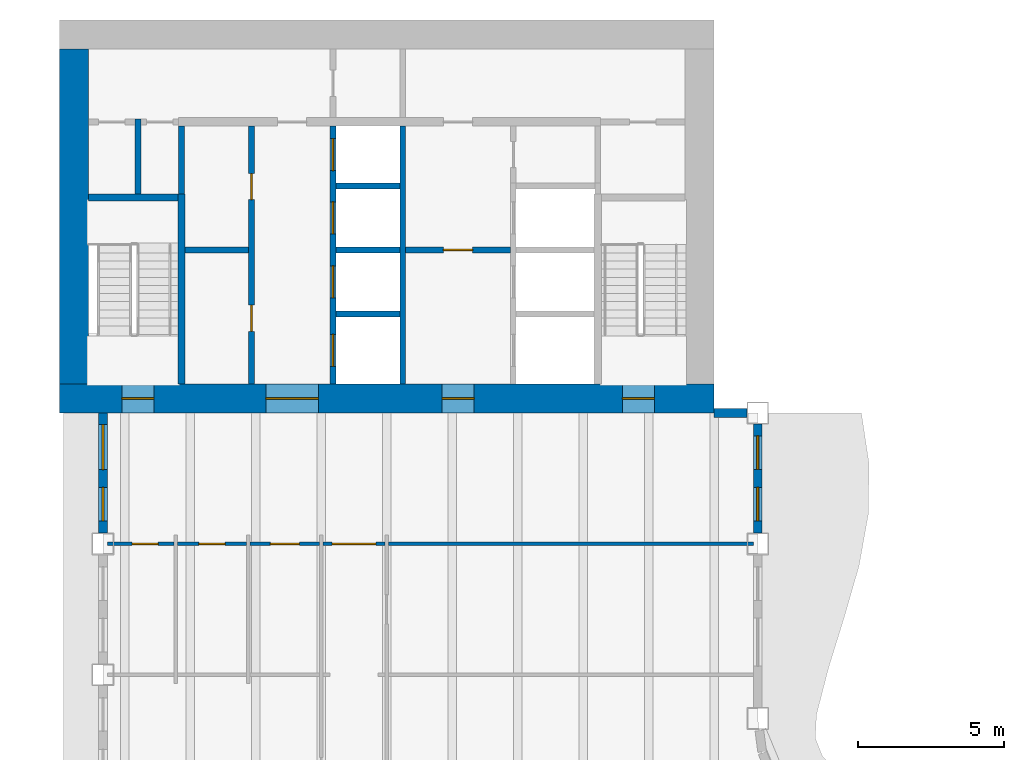
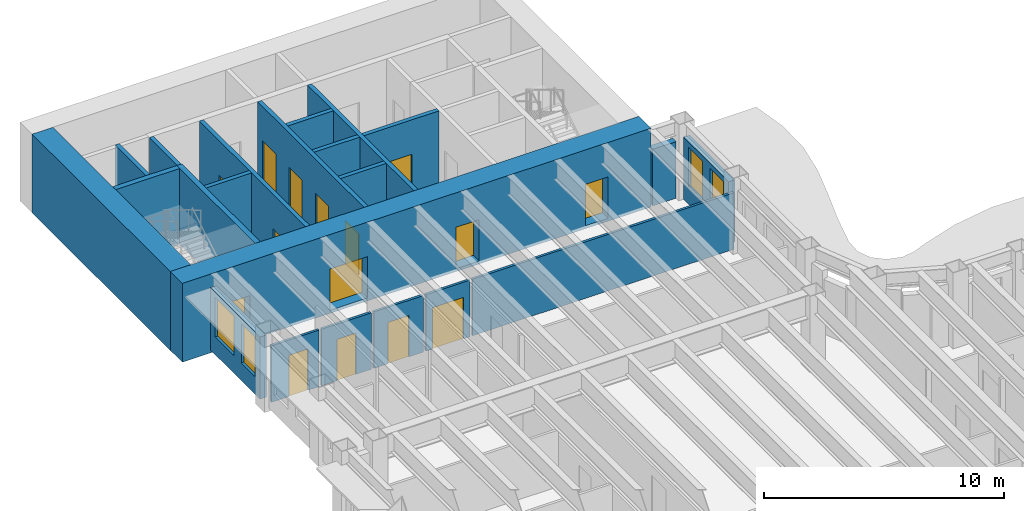
# One storey, part 9 of 17: 22 walls, 15 doors, 4 windows, 19 openings.
"""IFC4 building model written with IfcOpenShell, lengths in metres."""

from ifc_helpers import new_model, si_unit, direction, frame, frame_2d, origin, place, context, subcontext, project, spatial, rectangle, extrude, material, layer, layer_set, type_object, element, fill, save


model = new_model("IFC4")

# Units and contexts
model_context = context("Model", 3, precision=1e-05, world=origin(), true_north=direction((0.0, 1.0)))
body_context = subcontext(model_context, "Body", "Model", "MODEL_VIEW")
ifc_project = project(units=[si_unit("LENGTHUNIT", "METRE"), si_unit("AREAUNIT", "SQUARE_METRE"), si_unit("VOLUMEUNIT", "CUBIC_METRE"), si_unit("PLANEANGLEUNIT", "RADIAN"), si_unit("MASSUNIT", "GRAM", prefix="KILO")], contexts=[model_context])

# Site, building, storey
site_placement = place(None, origin())
site = spatial("IfcSite", under=ifc_project, at=site_placement, CompositionType="ELEMENT")
building_placement = place(site_placement, origin())
building = spatial("IfcBuilding", under=site, at=building_placement, Name="Sennacour Bend Tower", CompositionType="ELEMENT")
storey_placement = place(building_placement, frame((0.0, 0.0, 203.0)))
storey = spatial("IfcBuildingStorey", under=building, at=storey_placement, Name="L46", CompositionType="ELEMENT", Elevation=203.0)

# Wall, openings, doors
ifc_material_1 = material(Name="Concrete C60/75", Category="concrete")
ifc_layer_1 = layer(ifc_material_1, 1.0, Name="Concrete C60/75", Category="concrete")
ifc_layer_set_1 = layer_set([ifc_layer_1], Name="Concrete C60/75")
wall_type_1 = type_object("IfcWallType", Name="Core wall 1000 C60/75", PredefinedType="SHEAR", material=ifc_layer_set_1)
wall_1_placement = place(storey_placement, frame((0.0, 36.5, -0.14990234375), z_axis=(0.0, 0.0, 1.0), x_axis=(1.0, 0.0, 0.0)))
wall_1 = element("IfcWall", 1, at=wall_1_placement, inside=storey, type_object=wall_type_1, Name="Core B wall L46 S", PredefinedType="SHEAR", context=body_context, shape_type="SweptSolid", body=[
    extrude(rectangle(XDim=22.5, YDim=1.0, at=frame_2d((11.25, 0.0))), origin(), (0.0, 0.0, 1.0), 4.0),
])
opening_1_placement = place(wall_1_placement, frame((7.10009765625, 0.0, 0.14990234375)))
opening_1 = element("IfcOpeningElement", 2, at=opening_1_placement, cuts=wall_1, Name="Opening CD", PredefinedType="OPENING", context=body_context, shape_type="SweptSolid", body=[
    extrude(rectangle(XDim=1.800048828125, YDim=2.10009765625, at=frame_2d((0.89990234375, 1.050048828125))), frame((0.0, 0.510009765625, 0.0), z_axis=(0.0, -1.0, 0.0), x_axis=(1.0, 0.0, 0.0)), (0.0, 0.0, 1.0), 1.02001953125),
])
opening_2_placement = place(wall_1_placement, frame((13.14990234375, 0.0, 0.14990234375)))
opening_2 = element("IfcOpeningElement", 3, at=opening_2_placement, cuts=wall_1, Name="Opening FD", PredefinedType="OPENING", context=body_context, shape_type="SweptSolid", body=[
    extrude(rectangle(XDim=1.10009765625, YDim=2.10009765625, at=frame_2d((0.550048828125, 1.050048828125))), frame((0.0, 0.510009765625, 0.0), z_axis=(0.0, -1.0, 0.0), x_axis=(1.0, 0.0, 0.0)), (0.0, 0.0, 1.0), 1.02001953125),
])
opening_3_placement = place(wall_1_placement, frame((2.14990234375, 0.0, 0.14990234375)))
opening_3 = element("IfcOpeningElement", 4, at=opening_3_placement, cuts=wall_1, Name="Opening SD", PredefinedType="OPENING", context=body_context, shape_type="SweptSolid", body=[
    extrude(rectangle(XDim=1.10009765625, YDim=2.10009765625, at=frame_2d((0.550048828125, 1.050048828125))), frame((0.0, 0.510009765625, 0.0), z_axis=(0.0, -1.0, 0.0), x_axis=(1.0, 0.0, 0.0)), (0.0, 0.0, 1.0), 1.02001953125),
])
opening_4_placement = place(wall_1_placement, frame((19.35009765625, 0.0, 0.14990234375)))
opening_4 = element("IfcOpeningElement", 5, at=opening_4_placement, cuts=wall_1, Name="Opening SD", PredefinedType="OPENING", context=body_context, shape_type="SweptSolid", body=[
    extrude(rectangle(XDim=1.10009765625, YDim=2.10009765625, at=frame_2d((0.550048828125, 1.050048828125))), frame((0.0, 0.510009765625, 0.0), z_axis=(0.0, -1.0, 0.0), x_axis=(1.0, 0.0, 0.0)), (0.0, 0.0, 1.0), 1.02001953125),
])
ifc_material_2 = material(Name="Painted steel", Category="steel")
door_type_1 = type_object("IfcDoorType", Name="DR-FFL-1100", OperationType="NOTDEFINED", PredefinedType="DOOR", material=ifc_material_2)
door_1_placement = place(opening_2_placement, origin())
door_1 = element("IfcDoor", 6, at=door_1_placement, inside=storey, type_object=door_type_1, Name="Door", OperationType="SINGLE_SWING_RIGHT", OverallHeight=2.10009765625, OverallWidth=1.10009765625, PredefinedType="DOOR", context=body_context, shape_type="SweptSolid", body=[
    extrude(rectangle(XDim=1.10009765625, YDim=2.10009765625, at=frame_2d((0.550048828125, 1.050048828125))), frame((0.0, 0.02490234375, 0.0), z_axis=(0.0, -1.0, 0.0), x_axis=(1.0, 0.0, 0.0)), (0.0, 0.0, 1.0), 0.050048828125),
])
fill(opening_2, door_1)
door_type_2 = type_object("IfcDoorType", Name="DR-LOBBY-1800", OperationType="NOTDEFINED", PredefinedType="DOOR", material=ifc_material_2)
door_2_placement = place(opening_1_placement, origin())
door_2 = element("IfcDoor", 7, at=door_2_placement, inside=storey, type_object=door_type_2, Name="Door", OperationType="DOUBLE_DOOR_SINGLE_SWING", OverallHeight=2.10009765625, OverallWidth=1.800048828125, PredefinedType="DOOR", context=body_context, shape_type="SweptSolid", body=[
    extrude(rectangle(XDim=1.800048828125, YDim=2.10009765625, at=frame_2d((0.89990234375, 1.050048828125))), frame((0.0, 0.02490234375, 0.0), z_axis=(0.0, -1.0, 0.0), x_axis=(1.0, 0.0, 0.0)), (0.0, 0.0, 1.0), 0.050048828125),
])
fill(opening_1, door_2)
door_type_3 = type_object("IfcDoorType", Name="DR-STAIR-1100", OperationType="NOTDEFINED", PredefinedType="DOOR", material=ifc_material_2)
door_3_placement = place(opening_3_placement, origin())
door_3 = element("IfcDoor", 8, at=door_3_placement, inside=storey, type_object=door_type_3, Name="Door", OperationType="SINGLE_SWING_LEFT", OverallHeight=2.10009765625, OverallWidth=1.10009765625, PredefinedType="DOOR", context=body_context, shape_type="SweptSolid", body=[
    extrude(rectangle(XDim=1.10009765625, YDim=2.10009765625, at=frame_2d((0.550048828125, 1.050048828125))), frame((0.0, 0.02490234375, 0.0), z_axis=(0.0, -1.0, 0.0), x_axis=(1.0, 0.0, 0.0)), (0.0, 0.0, 1.0), 0.050048828125),
])
fill(opening_3, door_3)
door_4_placement = place(opening_4_placement, origin())
door_4 = element("IfcDoor", 9, at=door_4_placement, inside=storey, type_object=door_type_3, Name="Door", OperationType="SINGLE_SWING_RIGHT", OverallHeight=2.10009765625, OverallWidth=1.10009765625, PredefinedType="DOOR", context=body_context, shape_type="SweptSolid", body=[
    extrude(rectangle(XDim=1.10009765625, YDim=2.10009765625, at=frame_2d((0.550048828125, 1.050048828125))), frame((0.0, 0.02490234375, 0.0), z_axis=(0.0, -1.0, 0.0), x_axis=(1.0, 0.0, 0.0)), (0.0, 0.0, 1.0), 0.050048828125),
])
fill(opening_4, door_4)

# Wall
wall_2_placement = place(storey_placement, frame((0.5, 37.0, -0.14990234375), z_axis=(0.0, 0.0, 1.0), x_axis=(0.0, 1.0, 0.0)))
element("IfcWall", 10, at=wall_2_placement, inside=storey, type_object=wall_type_1, Name="Core B wall L46 W", PredefinedType="SHEAR", context=body_context, shape_type="SweptSolid", body=[
    extrude(rectangle(XDim=11.5, YDim=1.0, at=frame_2d((5.75, 0.0))), origin(), (0.0, 0.0, 1.0), 4.0),
])

# Wall, opening, door
ifc_material_3 = material(Name="Plasterboard partition on steel studs", Category="steel")
ifc_layer_2 = layer(ifc_material_3, 0.1201171875, Name="Plasterboard partition on steel studs", Category="steel")
ifc_layer_set_2 = layer_set([ifc_layer_2], Name="Plasterboard partition on steel studs")
wall_type_2 = type_object("IfcWallType", Name="Partition 120", PredefinedType="PARTITIONING", material=ifc_layer_set_2)
wall_3_placement = place(storey_placement, frame((1.64990234375, 31.5, 0.0), z_axis=(0.0, 0.0, 1.0), x_axis=(1.0, 0.0, 0.0)))
wall_3 = element("IfcWall", 11, at=wall_3_placement, inside=storey, type_object=wall_type_2, Name="P-L46-W086aa", PredefinedType="PARTITIONING", context=body_context, shape_type="SweptSolid", body=[
    extrude(rectangle(XDim=2.2900390625, YDim=0.1201171875, at=frame_2d((1.14501953125, 0.0))), origin(), (0.0, 0.0, 1.0), 2.8701171875),
])
opening_5_placement = place(wall_3_placement, frame((0.85009765625, 0.0, 0.0)))
opening_5 = element("IfcOpeningElement", 12, at=opening_5_placement, cuts=wall_3, Name="Opening WD", PredefinedType="OPENING", context=body_context, shape_type="SweptSolid", body=[
    extrude(rectangle(XDim=0.89990234375, YDim=2.10009765625, at=frame_2d((0.449951171875, 1.050048828125))), frame((0.0, 0.070068359375, 0.0), z_axis=(0.0, -1.0, 0.0), x_axis=(1.0, 0.0, 0.0)), (0.0, 0.0, 1.0), 0.14013671875),
])
ifc_material_4 = material(Name="Timber", Category="wood")
door_type_4 = type_object("IfcDoorType", Name="DR-WC-900", OperationType="NOTDEFINED", PredefinedType="DOOR", material=ifc_material_4)
door_5_placement = place(opening_5_placement, origin())
door_5 = element("IfcDoor", 13, at=door_5_placement, inside=storey, type_object=door_type_4, Name="Door", OperationType="SINGLE_SWING_RIGHT", OverallHeight=2.10009765625, OverallWidth=0.89990234375, PredefinedType="DOOR", context=body_context, shape_type="SweptSolid", body=[
    extrude(rectangle(XDim=0.89990234375, YDim=2.10009765625, at=frame_2d((0.449951171875, 1.050048828125))), frame((0.0, 0.02490234375, 0.0), z_axis=(0.0, -1.0, 0.0), x_axis=(1.0, 0.0, 0.0)), (0.0, 0.0, 1.0), 0.050048828125),
])
fill(opening_5, door_5)

wall_4_placement = place(storey_placement, frame((4.06005859375, 31.5, 0.0), z_axis=(0.0, 0.0, 1.0), x_axis=(1.0, 0.0, 0.0)))
wall_4 = element("IfcWall", 14, at=wall_4_placement, inside=storey, type_object=wall_type_2, Name="P-L46-W086ab", PredefinedType="PARTITIONING", context=body_context, shape_type="SweptSolid", body=[
    extrude(rectangle(XDim=2.3798828125, YDim=0.1201171875, at=frame_2d((1.18994140625, 0.0))), origin(), (0.0, 0.0, 1.0), 2.8701171875),
])
opening_6_placement = place(wall_4_placement, frame((0.739990234375, 0.0, 0.0)))
opening_6 = element("IfcOpeningElement", 15, at=opening_6_placement, cuts=wall_4, Name="Opening WD", PredefinedType="OPENING", context=body_context, shape_type="SweptSolid", body=[
    extrude(rectangle(XDim=0.89990234375, YDim=2.10009765625, at=frame_2d((0.449951171875, 1.050048828125))), frame((0.0, 0.070068359375, 0.0), z_axis=(0.0, -1.0, 0.0), x_axis=(1.0, 0.0, 0.0)), (0.0, 0.0, 1.0), 0.14013671875),
])
door_6_placement = place(opening_6_placement, origin())
door_6 = element("IfcDoor", 16, at=door_6_placement, inside=storey, type_object=door_type_4, Name="Door", OperationType="SINGLE_SWING_LEFT", OverallHeight=2.10009765625, OverallWidth=0.89990234375, PredefinedType="DOOR", context=body_context, shape_type="SweptSolid", body=[
    extrude(rectangle(XDim=0.89990234375, YDim=2.10009765625, at=frame_2d((0.449951171875, 1.050048828125))), frame((0.0, 0.02490234375, 0.0), z_axis=(0.0, -1.0, 0.0), x_axis=(1.0, 0.0, 0.0)), (0.0, 0.0, 1.0), 0.050048828125),
])
fill(opening_6, door_6)

wall_5_placement = place(storey_placement, frame((6.56005859375, 31.5, 0.0), z_axis=(0.0, 0.0, 1.0), x_axis=(1.0, 0.0, 0.0)))
wall_5 = element("IfcWall", 17, at=wall_5_placement, inside=storey, type_object=wall_type_2, Name="P-L46-W086ac", PredefinedType="PARTITIONING", context=body_context, shape_type="SweptSolid", body=[
    extrude(rectangle(XDim=2.3798828125, YDim=0.1201171875, at=frame_2d((1.18994140625, 0.0))), origin(), (0.0, 0.0, 1.0), 2.8701171875),
])
opening_7_placement = place(wall_5_placement, frame((0.68994140625, 0.0, 0.0)))
opening_7 = element("IfcOpeningElement", 18, at=opening_7_placement, cuts=wall_5, Name="Opening AD", PredefinedType="OPENING", context=body_context, shape_type="SweptSolid", body=[
    extrude(rectangle(XDim=1.0, YDim=2.10009765625, at=frame_2d((0.5, 1.050048828125))), frame((0.0, 0.070068359375, 0.0), z_axis=(0.0, -1.0, 0.0), x_axis=(1.0, 0.0, 0.0)), (0.0, 0.0, 1.0), 0.14013671875),
])
door_type_5 = type_object("IfcDoorType", Name="DR-ACC-WC-1000", OperationType="NOTDEFINED", PredefinedType="DOOR", material=ifc_material_4)
door_7_placement = place(opening_7_placement, origin())
door_7 = element("IfcDoor", 19, at=door_7_placement, inside=storey, type_object=door_type_5, Name="Door", OperationType="SINGLE_SWING_LEFT", OverallHeight=2.10009765625, OverallWidth=1.0, PredefinedType="DOOR", context=body_context, shape_type="SweptSolid", body=[
    extrude(rectangle(XDim=1.0, YDim=2.10009765625, at=frame_2d((0.5, 1.050048828125))), frame((0.0, 0.02490234375, 0.0), z_axis=(0.0, -1.0, 0.0), x_axis=(1.0, 0.0, 0.0)), (0.0, 0.0, 1.0), 0.050048828125),
])
fill(opening_7, door_7)

# Wall
wall_6_placement = place(storey_placement, frame((11.31005859375, 31.5, 0.0), z_axis=(0.0, 0.0, 1.0), x_axis=(1.0, 0.0, 0.0)))
element("IfcWall", 20, at=wall_6_placement, inside=storey, type_object=wall_type_2, Name="P-L46-W086ae", PredefinedType="PARTITIONING", context=body_context, shape_type="SweptSolid", body=[
    extrude(rectangle(XDim=12.5400390625, YDim=0.1201171875, at=frame_2d((6.27001953125, 0.0))), origin(), (0.0, 0.0, 1.0), 2.8701171875),
])

# Wall, opening, door
ifc_layer_3 = layer(ifc_material_3, 0.1201171875, Name="Plasterboard partition on steel studs", Category="steel")
ifc_layer_set_3 = layer_set([ifc_layer_3], Name="Plasterboard partition on steel studs")
wall_type_3 = type_object("IfcWallType", Name="Partition 120 EI 30", PredefinedType="PARTITIONING", material=ifc_layer_set_3)
wall_7_placement = place(storey_placement, frame((9.06005859375, 31.5, 0.0), z_axis=(0.0, 0.0, 1.0), x_axis=(1.0, 0.0, 0.0)))
wall_7 = element("IfcWall", 21, at=wall_7_placement, inside=storey, type_object=wall_type_3, Name="P-L46-W086ad", PredefinedType="PARTITIONING", context=body_context, shape_type="SweptSolid", body=[
    extrude(rectangle(XDim=2.1298828125, YDim=0.1201171875, at=frame_2d((1.06494140625, 0.0))), origin(), (0.0, 0.0, 1.0), 2.8701171875),
])
opening_8_placement = place(wall_7_placement, frame((0.31494140625, 0.0, 0.0)))
opening_8 = element("IfcOpeningElement", 22, at=opening_8_placement, cuts=wall_7, Name="Opening KD", PredefinedType="OPENING", context=body_context, shape_type="SweptSolid", body=[
    extrude(rectangle(XDim=1.5, YDim=2.10009765625, at=frame_2d((0.75, 1.050048828125))), frame((0.0, 0.070068359375, 0.0), z_axis=(0.0, -1.0, 0.0), x_axis=(1.0, 0.0, 0.0)), (0.0, 0.0, 1.0), 0.14013671875),
])
door_type_6 = type_object("IfcDoorType", Name="DR-CORRIDOR-1500", OperationType="NOTDEFINED", PredefinedType="DOOR", material=ifc_material_2)
door_8_placement = place(opening_8_placement, origin())
door_8 = element("IfcDoor", 23, at=door_8_placement, inside=storey, type_object=door_type_6, Name="Door", OperationType="SINGLE_SWING_LEFT", OverallHeight=2.10009765625, OverallWidth=1.5, PredefinedType="DOOR", context=body_context, shape_type="SweptSolid", body=[
    extrude(rectangle(XDim=1.5, YDim=2.10009765625, at=frame_2d((0.75, 1.050048828125))), frame((0.0, 0.02490234375, 0.0), z_axis=(0.0, -1.0, 0.0), x_axis=(1.0, 0.0, 0.0)), (0.0, 0.0, 1.0), 0.050048828125),
])
fill(opening_8, door_8)

# Walls
ifc_material_5 = material(Name="Fire-rated plasterboard partition on steel studs", Category="steel")
ifc_layer_4 = layer(ifc_material_5, 0.199951171875, Name="Fire-rated plasterboard partition on steel studs", Category="steel")
ifc_layer_set_4 = layer_set([ifc_layer_4], Name="Fire-rated plasterboard partition on steel studs")
wall_type_4 = type_object("IfcWallType", Name="Rated partition 200", PredefinedType="PARTITIONING", material=ifc_layer_set_4)
wall_8_placement = place(storey_placement, frame((2.699951171875, 43.52490234375, 0.0), z_axis=(0.0, 0.0, 1.0), x_axis=(0.0, 1.0, 0.0)))
element("IfcWall", 24, at=wall_8_placement, inside=storey, type_object=wall_type_4, Name="P-L46-W004", PredefinedType="PARTITIONING", context=body_context, shape_type="SweptSolid", body=[
    extrude(rectangle(XDim=2.5751953125, YDim=0.199951171875, at=frame_2d((1.28759765625, 0.0))), origin(), (0.0, 0.0, 1.0), 3.85009765625),
])
wall_9_placement = place(storey_placement, frame((4.199951171875, 43.52490234375, 0.0), z_axis=(0.0, 0.0, 1.0), x_axis=(0.0, 1.0, 0.0)))
element("IfcWall", 25, at=wall_9_placement, inside=storey, type_object=wall_type_4, Name="P-L46-W007", PredefinedType="PARTITIONING", context=body_context, shape_type="SweptSolid", body=[
    extrude(rectangle(XDim=2.3251953125, YDim=0.199951171875, at=frame_2d((1.16259765625, 0.0))), origin(), (0.0, 0.0, 1.0), 3.85009765625),
])

# Wall, openings, doors
wall_10_placement = place(storey_placement, frame((6.60009765625, 37.0, 0.0), z_axis=(0.0, 0.0, 1.0), x_axis=(0.0, 1.0, 0.0)))
wall_10 = element("IfcWall", 26, at=wall_10_placement, inside=storey, type_object=wall_type_4, Name="P-L46-W009", PredefinedType="PARTITIONING", context=body_context, shape_type="SweptSolid", body=[
    extrude(rectangle(XDim=8.85009765625, YDim=0.199951171875, at=frame_2d((4.425048828125, 0.0))), origin(), (0.0, 0.0, 1.0), 3.85009765625),
])
opening_9_placement = place(wall_10_placement, frame((1.800048828125, 0.0, 0.0)))
opening_9 = element("IfcOpeningElement", 27, at=opening_9_placement, cuts=wall_10, Name="Opening SV", PredefinedType="OPENING", context=body_context, shape_type="SweptSolid", body=[
    extrude(rectangle(XDim=0.89990234375, YDim=2.10009765625, at=frame_2d((0.449951171875, 1.050048828125))), frame((0.0, 0.10986328125, 0.0), z_axis=(0.0, -1.0, 0.0), x_axis=(1.0, 0.0, 0.0)), (0.0, 0.0, 1.0), 0.219970703125),
])
opening_10_placement = place(wall_10_placement, frame((6.324951171875, 0.0, 0.0)))
opening_10 = element("IfcOpeningElement", 28, at=opening_10_placement, cuts=wall_10, Name="Opening SV", PredefinedType="OPENING", context=body_context, shape_type="SweptSolid", body=[
    extrude(rectangle(XDim=0.89990234375, YDim=2.10009765625, at=frame_2d((0.449951171875, 1.050048828125))), frame((0.0, 0.10986328125, 0.0), z_axis=(0.0, -1.0, 0.0), x_axis=(1.0, 0.0, 0.0)), (0.0, 0.0, 1.0), 0.219970703125),
])
door_type_7 = type_object("IfcDoorType", Name="DR-SERVICE-900", OperationType="NOTDEFINED", PredefinedType="DOOR", material=ifc_material_2)
door_9_placement = place(opening_9_placement, origin())
door_9 = element("IfcDoor", 29, at=door_9_placement, inside=storey, type_object=door_type_7, Name="Door", OperationType="SINGLE_SWING_LEFT", OverallHeight=2.10009765625, OverallWidth=0.89990234375, PredefinedType="DOOR", context=body_context, shape_type="SweptSolid", body=[
    extrude(rectangle(XDim=0.89990234375, YDim=2.10009765625, at=frame_2d((0.449951171875, 1.050048828125))), frame((0.0, 0.02490234375, 0.0), z_axis=(0.0, -1.0, 0.0), x_axis=(1.0, 0.0, 0.0)), (0.0, 0.0, 1.0), 0.050048828125),
])
fill(opening_9, door_9)
door_10_placement = place(opening_10_placement, origin())
door_10 = element("IfcDoor", 30, at=door_10_placement, inside=storey, type_object=door_type_7, Name="Door", OperationType="SINGLE_SWING_RIGHT", OverallHeight=2.10009765625, OverallWidth=0.89990234375, PredefinedType="DOOR", context=body_context, shape_type="SweptSolid", body=[
    extrude(rectangle(XDim=0.89990234375, YDim=2.10009765625, at=frame_2d((0.449951171875, 1.050048828125))), frame((0.0, 0.02490234375, 0.0), z_axis=(0.0, -1.0, 0.0), x_axis=(1.0, 0.0, 0.0)), (0.0, 0.0, 1.0), 0.050048828125),
])
fill(opening_10, door_10)

# Wall
wall_11_placement = place(storey_placement, frame((4.324951171875, 41.60009765625, 0.0), z_axis=(0.0, 0.0, 1.0), x_axis=(1.0, 0.0, 0.0)))
element("IfcWall", 31, at=wall_11_placement, inside=storey, type_object=wall_type_4, Name="P-L46-W090", PredefinedType="PARTITIONING", context=body_context, shape_type="SweptSolid", body=[
    extrude(rectangle(XDim=2.175048828125, YDim=0.199951171875, at=frame_2d((1.08740234375, 0.0))), origin(), (0.0, 0.0, 1.0), 3.85009765625),
])

# Wall, opening, door
ifc_layer_5 = layer(ifc_material_5, 0.199951171875, Name="Fire-rated plasterboard partition on steel studs", Category="steel")
ifc_layer_set_5 = layer_set([ifc_layer_5], Name="Fire-rated plasterboard partition on steel studs")
wall_type_5 = type_object("IfcWallType", Name="Rated partition 200 EI 90", PredefinedType="PARTITIONING", material=ifc_layer_set_5)
wall_12_placement = place(storey_placement, frame((11.89990234375, 41.60009765625, 0.0), z_axis=(0.0, 0.0, 1.0), x_axis=(1.0, 0.0, 0.0)))
wall_12 = element("IfcWall", 32, at=wall_12_placement, inside=storey, type_object=wall_type_5, Name="P-L46-W092", PredefinedType="PARTITIONING", context=body_context, shape_type="SweptSolid", body=[
    extrude(rectangle(XDim=3.60009765625, YDim=0.199951171875, at=frame_2d((1.800048828125, 0.0))), origin(), (0.0, 0.0, 1.0), 3.85009765625),
])
opening_11_placement = place(wall_12_placement, frame((1.300048828125, 0.0, 0.0)))
opening_11 = element("IfcOpeningElement", 33, at=opening_11_placement, cuts=wall_12, Name="Opening FD2", PredefinedType="OPENING", context=body_context, shape_type="SweptSolid", body=[
    extrude(rectangle(XDim=1.0, YDim=2.10009765625, at=frame_2d((0.5, 1.050048828125))), frame((0.0, 0.10986328125, 0.0), z_axis=(0.0, -1.0, 0.0), x_axis=(1.0, 0.0, 0.0)), (0.0, 0.0, 1.0), 0.219970703125),
])
door_type_8 = type_object("IfcDoorType", Name="DR-FFL-1000", OperationType="NOTDEFINED", PredefinedType="DOOR", material=ifc_material_2)
door_11_placement = place(opening_11_placement, origin())
door_11 = element("IfcDoor", 34, at=door_11_placement, inside=storey, type_object=door_type_8, Name="Door", OperationType="SINGLE_SWING_RIGHT", OverallHeight=2.10009765625, OverallWidth=1.0, PredefinedType="DOOR", context=body_context, shape_type="SweptSolid", body=[
    extrude(rectangle(XDim=1.0, YDim=2.10009765625, at=frame_2d((0.5, 1.050048828125))), frame((0.0, 0.02490234375, 0.0), z_axis=(0.0, -1.0, 0.0), x_axis=(1.0, 0.0, 0.0)), (0.0, 0.0, 1.0), 0.050048828125),
])
fill(opening_11, door_11)

# Wall, openings, windows
ifc_material_6 = material(Name="Warm limestone cladding", Category="masonry")
ifc_layer_6 = layer(ifc_material_6, 0.050048828125, Name="Warm limestone cladding", Category="masonry")
ifc_material_7 = material(Name="Precast concrete C40/50", Category="concrete")
ifc_layer_7 = layer(ifc_material_7, 0.25, Name="Precast concrete C40/50", Category="concrete")
ifc_layer_set_6 = layer_set([ifc_layer_6, ifc_layer_7], Name="Precast concrete C40/50 with limestone cladding")
wall_type_6 = type_object("IfcWallType", Name="STONE-CLAD PRECAST SPANDREL 300", PredefinedType="STANDARD", material=ifc_layer_set_6)
wall_13_placement = place(storey_placement, frame((24.0, 31.875, 0.0), z_axis=(0.0, 0.0, 1.0), x_axis=(0.0, 1.0, 0.0)))
wall_13 = element("IfcWall", 35, at=wall_13_placement, inside=storey, type_object=wall_type_6, Name="Stone spandrel and pier wall L46 13.01", PredefinedType="STANDARD", context=body_context, shape_type="SweptSolid", body=[
    extrude(rectangle(XDim=3.75, YDim=0.300048828125, at=frame_2d((1.875, 0.0))), origin(), (0.0, 0.0, 1.0), 3.156982421875),
])
opening_12_placement = place(wall_13_placement, frame((0.41259765625, 0.0, 0.89990234375)))
opening_12 = element("IfcOpeningElement", 36, at=opening_12_placement, cuts=wall_13, Name="Opening W24", PredefinedType="OPENING", context=body_context, shape_type="SweptSolid", body=[
    extrude(rectangle(XDim=1.14990234375, YDim=2.0, at=frame_2d((0.574951171875, 1.0))), frame((0.0, 0.16015625, 0.0), z_axis=(0.0, -1.0, 0.0), x_axis=(1.0, 0.0, 0.0)), (0.0, 0.0, 1.0), 0.320068359375),
])
opening_13_placement = place(wall_13_placement, frame((2.1875, 0.0, 0.89990234375)))
opening_13 = element("IfcOpeningElement", 37, at=opening_13_placement, cuts=wall_13, Name="Opening W24", PredefinedType="OPENING", context=body_context, shape_type="SweptSolid", body=[
    extrude(rectangle(XDim=1.14990234375, YDim=2.0, at=frame_2d((0.574951171875, 1.0))), frame((0.0, 0.16015625, 0.0), z_axis=(0.0, -1.0, 0.0), x_axis=(1.0, 0.0, 0.0)), (0.0, 0.0, 1.0), 0.320068359375),
])
ifc_material_8 = material(Name="Clear low-emissivity glass", Category="glass")
window_type_1 = type_object("IfcWindowType", Name="WIN-RIBBON-1150x2000", PartitioningType="SINGLE_PANEL", PredefinedType="WINDOW", material=ifc_material_8)
window_1_placement = place(opening_12_placement, origin())
window_1 = element("IfcWindow", 38, at=window_1_placement, inside=storey, type_object=window_type_1, Name="Ribbon window L46 13.01.0", OverallHeight=2.0, OverallWidth=1.14990234375, PartitioningType="SINGLE_PANEL", PredefinedType="WINDOW", context=body_context, shape_type="SweptSolid", body=[
    extrude(rectangle(XDim=1.14990234375, YDim=2.0, at=frame_2d((0.574951171875, 1.0))), frame((0.0, 0.030029296875, 0.0), z_axis=(0.0, -1.0, 0.0), x_axis=(1.0, 0.0, 0.0)), (0.0, 0.0, 1.0), 0.06005859375),
])
fill(opening_12, window_1)
window_2_placement = place(opening_13_placement, origin())
window_2 = element("IfcWindow", 39, at=window_2_placement, inside=storey, type_object=window_type_1, Name="Ribbon window L46 13.01.1", OverallHeight=2.0, OverallWidth=1.14990234375, PartitioningType="SINGLE_PANEL", PredefinedType="WINDOW", context=body_context, shape_type="SweptSolid", body=[
    extrude(rectangle(XDim=1.14990234375, YDim=2.0, at=frame_2d((0.574951171875, 1.0))), frame((0.0, 0.030029296875, 0.0), z_axis=(0.0, -1.0, 0.0), x_axis=(1.0, 0.0, 0.0)), (0.0, 0.0, 1.0), 0.06005859375),
])
fill(opening_13, window_2)

# Wall
wall_14_placement = place(storey_placement, frame((23.625, 36.0, 0.0), z_axis=(0.0, 0.0, 1.0), x_axis=(-1.0, 0.0, 0.0)))
element("IfcWall", 40, at=wall_14_placement, inside=storey, type_object=wall_type_6, Name="Stone spandrel and pier wall L46 14.00", PredefinedType="STANDARD", context=body_context, shape_type="SweptSolid", body=[
    extrude(rectangle(XDim=1.125, YDim=0.300048828125, at=frame_2d((0.5625, 0.0))), origin(), (0.0, 0.0, 1.0), 2.8701171875),
])

# Wall, openings, windows
wall_15_placement = place(storey_placement, frame((1.5, 36.0, 0.0), z_axis=(0.0, 0.0, 1.0), x_axis=(0.0, -1.0, 0.0)))
wall_15 = element("IfcWall", 41, at=wall_15_placement, inside=storey, type_object=wall_type_6, Name="Stone spandrel and pier wall L46 19.00", PredefinedType="STANDARD", context=body_context, shape_type="SweptSolid", body=[
    extrude(rectangle(XDim=4.125, YDim=0.300048828125, at=frame_2d((2.0625, 0.0))), origin(), (0.0, 0.0, 1.0), 3.156982421875),
])
opening_14_placement = place(wall_15_placement, frame((0.39990234375, 0.0, 0.89990234375)))
opening_14 = element("IfcOpeningElement", 42, at=opening_14_placement, cuts=wall_15, Name="Opening W9", PredefinedType="OPENING", context=body_context, shape_type="SweptSolid", body=[
    extrude(rectangle(XDim=1.550048828125, YDim=2.0, at=frame_2d((0.77490234375, 1.0))), frame((0.0, 0.16015625, 0.0), z_axis=(0.0, -1.0, 0.0), x_axis=(1.0, 0.0, 0.0)), (0.0, 0.0, 1.0), 0.320068359375),
])
opening_15_placement = place(wall_15_placement, frame((2.5625, 0.0, 0.89990234375)))
opening_15 = element("IfcOpeningElement", 43, at=opening_15_placement, cuts=wall_15, Name="Opening W24", PredefinedType="OPENING", context=body_context, shape_type="SweptSolid", body=[
    extrude(rectangle(XDim=1.14990234375, YDim=2.0, at=frame_2d((0.574951171875, 1.0))), frame((0.0, 0.16015625, 0.0), z_axis=(0.0, -1.0, 0.0), x_axis=(1.0, 0.0, 0.0)), (0.0, 0.0, 1.0), 0.320068359375),
])
window_3_placement = place(opening_15_placement, origin())
window_3 = element("IfcWindow", 44, at=window_3_placement, inside=storey, type_object=window_type_1, Name="Ribbon window L46 19.00.1", OverallHeight=2.0, OverallWidth=1.14990234375, PartitioningType="SINGLE_PANEL", PredefinedType="WINDOW", context=body_context, shape_type="SweptSolid", body=[
    extrude(rectangle(XDim=1.14990234375, YDim=2.0, at=frame_2d((0.574951171875, 1.0))), frame((0.0, 0.030029296875, 0.0), z_axis=(0.0, -1.0, 0.0), x_axis=(1.0, 0.0, 0.0)), (0.0, 0.0, 1.0), 0.06005859375),
])
fill(opening_15, window_3)
window_type_2 = type_object("IfcWindowType", Name="WIN-RIBBON-1550x2000", PartitioningType="SINGLE_PANEL", PredefinedType="WINDOW", material=ifc_material_8)
window_4_placement = place(opening_14_placement, origin())
window_4 = element("IfcWindow", 45, at=window_4_placement, inside=storey, type_object=window_type_2, Name="Ribbon window L46 19.00.0", OverallHeight=2.0, OverallWidth=1.550048828125, PartitioningType="SINGLE_PANEL", PredefinedType="WINDOW", context=body_context, shape_type="SweptSolid", body=[
    extrude(rectangle(XDim=1.550048828125, YDim=2.0, at=frame_2d((0.77490234375, 1.0))), frame((0.0, 0.030029296875, 0.0), z_axis=(0.0, -1.0, 0.0), x_axis=(1.0, 0.0, 0.0)), (0.0, 0.0, 1.0), 0.06005859375),
])
fill(opening_14, window_4)

# Wall, openings, doors
ifc_material_9 = material(Name="Concrete C50/60", Category="concrete")
ifc_layer_8 = layer(ifc_material_9, 0.199951171875, Name="Concrete C50/60", Category="concrete")
ifc_layer_set_7 = layer_set([ifc_layer_8], Name="Concrete C50/60")
wall_type_7 = type_object("IfcWallType", Name="Shaft wall 200", PredefinedType="SOLIDWALL", material=ifc_layer_set_7)
wall_16_placement = place(storey_placement, frame((9.39990234375, 37.0, 0.0), z_axis=(0.0, 0.0, 1.0), x_axis=(0.0, 1.0, 0.0)))
wall_16 = element("IfcWall", 46, at=wall_16_placement, inside=storey, type_object=wall_type_7, Name="P-L46-W014", PredefinedType="SOLIDWALL", context=body_context, shape_type="SweptSolid", body=[
    extrude(rectangle(XDim=8.85009765625, YDim=0.199951171875, at=frame_2d((4.425048828125, 0.0))), origin(), (0.0, 0.0, 1.0), 3.85009765625),
])
opening_16_placement = place(wall_16_placement, frame((0.60009765625, 0.0, 0.011962890625)))
opening_16 = element("IfcOpeningElement", 47, at=opening_16_placement, cuts=wall_16, Name="Opening LD", PredefinedType="OPENING", context=body_context, shape_type="SweptSolid", body=[
    extrude(rectangle(XDim=1.10009765625, YDim=2.10009765625, at=frame_2d((0.550048828125, 1.050048828125))), frame((0.0, 0.10986328125, 0.0), z_axis=(0.0, -1.0, 0.0), x_axis=(1.0, 0.0, 0.0)), (0.0, 0.0, 1.0), 0.219970703125),
])
opening_17_placement = place(wall_16_placement, frame((2.949951171875, 0.0, 0.011962890625)))
opening_17 = element("IfcOpeningElement", 48, at=opening_17_placement, cuts=wall_16, Name="Opening LD", PredefinedType="OPENING", context=body_context, shape_type="SweptSolid", body=[
    extrude(rectangle(XDim=1.10009765625, YDim=2.10009765625, at=frame_2d((0.550048828125, 1.050048828125))), frame((0.0, 0.10986328125, 0.0), z_axis=(0.0, -1.0, 0.0), x_axis=(1.0, 0.0, 0.0)), (0.0, 0.0, 1.0), 0.219970703125),
])
opening_18_placement = place(wall_16_placement, frame((5.14990234375, 0.0, 0.011962890625)))
opening_18 = element("IfcOpeningElement", 49, at=opening_18_placement, cuts=wall_16, Name="Opening LD", PredefinedType="OPENING", context=body_context, shape_type="SweptSolid", body=[
    extrude(rectangle(XDim=1.10009765625, YDim=2.10009765625, at=frame_2d((0.550048828125, 1.050048828125))), frame((0.0, 0.10986328125, 0.0), z_axis=(0.0, -1.0, 0.0), x_axis=(1.0, 0.0, 0.0)), (0.0, 0.0, 1.0), 0.219970703125),
])
opening_19_placement = place(wall_16_placement, frame((7.324951171875, 0.0, 0.011962890625)))
opening_19 = element("IfcOpeningElement", 50, at=opening_19_placement, cuts=wall_16, Name="Opening LD", PredefinedType="OPENING", context=body_context, shape_type="SweptSolid", body=[
    extrude(rectangle(XDim=1.10009765625, YDim=2.10009765625, at=frame_2d((0.550048828125, 1.050048828125))), frame((0.0, 0.10986328125, 0.0), z_axis=(0.0, -1.0, 0.0), x_axis=(1.0, 0.0, 0.0)), (0.0, 0.0, 1.0), 0.219970703125),
])
ifc_material_10 = material(Name="Stainless steel", Category="steel")
door_type_9 = type_object("IfcDoorType", Name="DR-LANDING-1100", OperationType="NOTDEFINED", PredefinedType="DOOR", material=ifc_material_10)
door_12_placement = place(opening_16_placement, origin())
door_12 = element("IfcDoor", 51, at=door_12_placement, inside=storey, type_object=door_type_9, Name="Lift landing door MB1", OperationType="SLIDING_TO_RIGHT", OverallHeight=2.10009765625, OverallWidth=1.10009765625, PredefinedType="DOOR", context=body_context, shape_type="SweptSolid", body=[
    extrude(rectangle(XDim=1.10009765625, YDim=2.10009765625, at=frame_2d((0.550048828125, 1.050048828125))), frame((0.0, 0.02490234375, 0.0), z_axis=(0.0, -1.0, 0.0), x_axis=(1.0, 0.0, 0.0)), (0.0, 0.0, 1.0), 0.050048828125),
])
fill(opening_16, door_12)
door_13_placement = place(opening_17_placement, origin())
door_13 = element("IfcDoor", 52, at=door_13_placement, inside=storey, type_object=door_type_9, Name="Lift landing door MB2", OperationType="SLIDING_TO_LEFT", OverallHeight=2.10009765625, OverallWidth=1.10009765625, PredefinedType="DOOR", context=body_context, shape_type="SweptSolid", body=[
    extrude(rectangle(XDim=1.10009765625, YDim=2.10009765625, at=frame_2d((0.550048828125, 1.050048828125))), frame((0.0, 0.02490234375, 0.0), z_axis=(0.0, -1.0, 0.0), x_axis=(1.0, 0.0, 0.0)), (0.0, 0.0, 1.0), 0.050048828125),
])
fill(opening_17, door_13)
door_14_placement = place(opening_18_placement, origin())
door_14 = element("IfcDoor", 53, at=door_14_placement, inside=storey, type_object=door_type_9, Name="Lift landing door MB3", OperationType="SLIDING_TO_RIGHT", OverallHeight=2.10009765625, OverallWidth=1.10009765625, PredefinedType="DOOR", context=body_context, shape_type="SweptSolid", body=[
    extrude(rectangle(XDim=1.10009765625, YDim=2.10009765625, at=frame_2d((0.550048828125, 1.050048828125))), frame((0.0, 0.02490234375, 0.0), z_axis=(0.0, -1.0, 0.0), x_axis=(1.0, 0.0, 0.0)), (0.0, 0.0, 1.0), 0.050048828125),
])
fill(opening_18, door_14)
door_15_placement = place(opening_19_placement, origin())
door_15 = element("IfcDoor", 54, at=door_15_placement, inside=storey, type_object=door_type_9, Name="Lift landing door MB4", OperationType="SLIDING_TO_LEFT", OverallHeight=2.10009765625, OverallWidth=1.10009765625, PredefinedType="DOOR", context=body_context, shape_type="SweptSolid", body=[
    extrude(rectangle(XDim=1.10009765625, YDim=2.10009765625, at=frame_2d((0.550048828125, 1.050048828125))), frame((0.0, 0.02490234375, 0.0), z_axis=(0.0, -1.0, 0.0), x_axis=(1.0, 0.0, 0.0)), (0.0, 0.0, 1.0), 0.050048828125),
])
fill(opening_19, door_15)

# Walls
wall_17_placement = place(storey_placement, frame((11.800048828125, 37.0, 0.0), z_axis=(0.0, 0.0, 1.0), x_axis=(0.0, 1.0, 0.0)))
element("IfcWall", 55, at=wall_17_placement, inside=storey, type_object=wall_type_7, Name="P-L46-W017", PredefinedType="SOLIDWALL", context=body_context, shape_type="SweptSolid", body=[
    extrude(rectangle(XDim=8.85009765625, YDim=0.199951171875, at=frame_2d((4.425048828125, 0.0))), origin(), (0.0, 0.0, 1.0), 3.85009765625),
])
for number, where, z_axis, x_axis, name in (
    (56, (9.5, 39.39990234375, 0.0), (0.0, 0.0, 1.0), (1.0, 0.0, 0.0), "P-L46-W088"),
    (57, (9.5, 41.60009765625, 0.0), (0.0, 0.0, 1.0), (1.0, 0.0, 0.0), "P-L46-W091"),
    (58, (9.5, 43.800048828125, 0.0), (0.0, 0.0, 1.0), (1.0, 0.0, 0.0), "P-L46-W096"),
):
    element("IfcWall", number, at=place(storey_placement, frame(where, z_axis=z_axis, x_axis=x_axis)), inside=storey, type_object=wall_type_7, Name=name, PredefinedType="SOLIDWALL", context=body_context, shape_type="SweptSolid", body=[
        extrude(rectangle(XDim=2.199951171875, YDim=0.199951171875, at=frame_2d((1.10009765625, 0.0))), origin(), (0.0, 0.0, 1.0), 3.85009765625),
    ])
ifc_layer_9 = layer(ifc_material_1, 0.25, Name="Concrete C60/75", Category="concrete")
ifc_layer_set_8 = layer_set([ifc_layer_9], Name="Concrete C60/75")
wall_type_8 = type_object("IfcWallType", Name="Stair wall 250", PredefinedType="SHEAR", material=ifc_layer_set_8)
wall_18_placement = place(storey_placement, frame((4.199951171875, 37.0, 0.0), z_axis=(0.0, 0.0, 1.0), x_axis=(0.0, 1.0, 0.0)))
element("IfcWall", 59, at=wall_18_placement, inside=storey, type_object=wall_type_8, Name="P-L46-W006", PredefinedType="SHEAR", context=body_context, shape_type="SweptSolid", body=[
    extrude(rectangle(XDim=6.52490234375, YDim=0.25, at=frame_2d((3.262451171875, 0.0))), origin(), (0.0, 0.0, 1.0), 3.85009765625),
])
wall_19_placement = place(storey_placement, frame((1.0, 43.39990234375, 0.0), z_axis=(0.0, 0.0, 1.0), x_axis=(1.0, 0.0, 0.0)))
element("IfcWall", 60, at=wall_19_placement, inside=storey, type_object=wall_type_8, Name="P-L46-W094", PredefinedType="SHEAR", context=body_context, shape_type="SweptSolid", body=[
    extrude(rectangle(XDim=3.074951171875, YDim=0.25, at=frame_2d((1.53759765625, 0.0))), origin(), (0.0, 0.0, 1.0), 3.85009765625),
])

save(model, "model.ifc")
